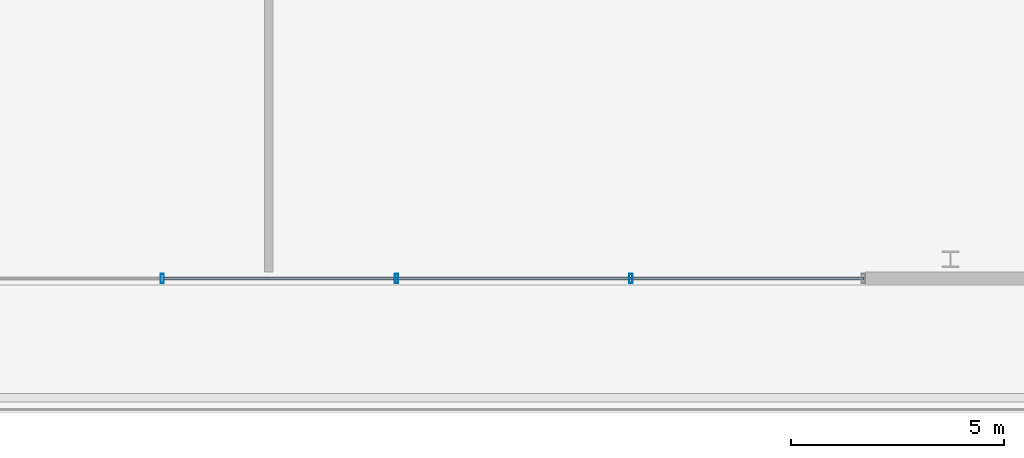
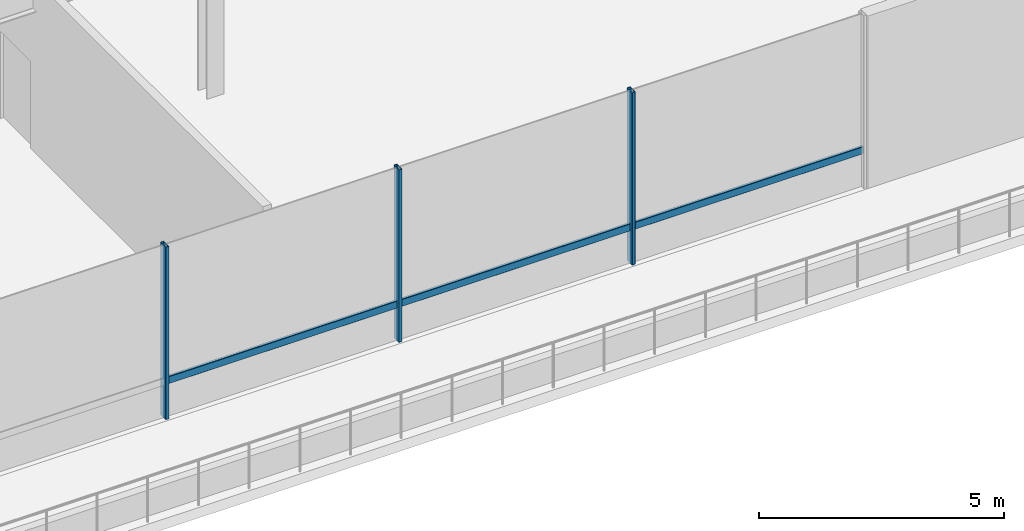
# One storey, part 10 of 45: 6 members, 1 element without a shape of its own.
"""IFC4 building model written with IfcOpenShell, lengths in metres."""

from ifc_helpers import new_model, si_unit, direction, frame, origin, origin_2d, place, context, subcontext, project, spatial, hollow_rectangle, extrude, material, layer, layer_set, material_profile, profile_set, type_object, element, aggregate, save


model = new_model("IFC4")

# Units and contexts
model_context = context("Model", 3, precision=1e-05, world=origin(), true_north=direction((0.0, 1.0)))
body_context = subcontext(model_context, "Body", "Model", "MODEL_VIEW")
ifc_project = project(units=[si_unit("LENGTHUNIT", "METRE"), si_unit("AREAUNIT", "SQUARE_METRE"), si_unit("VOLUMEUNIT", "CUBIC_METRE"), si_unit("PLANEANGLEUNIT", "RADIAN"), si_unit("MASSUNIT", "GRAM", prefix="KILO")], contexts=[model_context])

# Site, building, storey
site_placement = place(None, origin())
site = spatial("IfcSite", under=ifc_project, at=site_placement, CompositionType="ELEMENT")
building_placement = place(site_placement, origin())
building = spatial("IfcBuilding", under=site, at=building_placement, Name="Korimba Cascade Residences", CompositionType="ELEMENT")
storey_placement = place(building_placement, frame((0.0, 0.0, 5.39990234375)))
storey = spatial("IfcBuildingStorey", under=building, at=storey_placement, Name="L01", CompositionType="ELEMENT", Elevation=5.39990234375)

# Curtain wall, members
ifc_material_1 = material(Name="Anodised Aluminium Curtain Wall Framing", Category="aluminium")
ifc_layer = layer(ifc_material_1, 0.179931640625)
ifc_layer_set = layer_set([ifc_layer], Name="Anodised Aluminium Curtain Wall Framing")
curtain_wall_type = type_object("IfcCurtainWallType", Name="CW-POD-SYS1", PredefinedType="NOTDEFINED", material=ifc_layer_set)
curtain_wall_placement = place(storey_placement, origin())
curtain_wall = element("IfcCurtainWall", 1, at=curtain_wall_placement, inside=storey, type_object=curtain_wall_type, Name="L01 Curtain Wall CW-L01-POD-S", PredefinedType="NOTDEFINED")
ifc_material_2 = material(Name="Anodised Aluminium Mullion", Category="aluminium")
ifc_material_profile_1 = material_profile(ifc_material_2, hollow_rectangle(XDim=0.080078125, YDim=0.219970703125, WallThickness=0.00634765625, InnerFilletRadius=0.00634765625, OuterFilletRadius=0.0126953125, at=origin_2d()), Name="Anodised Aluminium Mullion")
ifc_profile_set_1 = profile_set([ifc_material_profile_1], Name="Anodised Aluminium Mullion")
member_type_1 = type_object("IfcMemberType", Name="CWM-MUL-220", PredefinedType="MULLION", material=ifc_profile_set_1)
member_1_placement = place(storey_placement, frame((93.5, -23.35009765625, 0.0), z_axis=(0.0, 0.0, 1.0), x_axis=(1.0, 0.0, 0.0)))
member_1 = element("IfcMember", 2, at=member_1_placement, type_object=member_type_1, Name="CW-L01-POD-S Mullion 2", PredefinedType="MULLION", context=body_context, shape_type="SweptSolid", body=[
    extrude(hollow_rectangle(XDim=0.080078125, YDim=0.219970703125, WallThickness=0.00634765625, InnerFilletRadius=0.00634765625, OuterFilletRadius=0.0126953125, at=origin_2d()), origin(), (0.0, 0.0, 1.0), 4.300048828125),
])
member_2_placement = place(storey_placement, frame((99.0, -23.35009765625, 0.0), z_axis=(0.0, 0.0, 1.0), x_axis=(1.0, 0.0, 0.0)))
member_2 = element("IfcMember", 3, at=member_2_placement, type_object=member_type_1, Name="CW-L01-POD-S Mullion 3", PredefinedType="MULLION", context=body_context, shape_type="SweptSolid", body=[
    extrude(hollow_rectangle(XDim=0.080078125, YDim=0.219970703125, WallThickness=0.00634765625, InnerFilletRadius=0.00634765625, OuterFilletRadius=0.0126953125, at=origin_2d()), origin(), (0.0, 0.0, 1.0), 4.300048828125),
])
member_3_placement = place(storey_placement, frame((104.5, -23.35009765625, 0.0), z_axis=(0.0, 0.0, 1.0), x_axis=(1.0, 0.0, 0.0)))
member_3 = element("IfcMember", 4, at=member_3_placement, type_object=member_type_1, Name="CW-L01-POD-S Mullion 4", PredefinedType="MULLION", context=body_context, shape_type="SweptSolid", body=[
    extrude(hollow_rectangle(XDim=0.080078125, YDim=0.219970703125, WallThickness=0.00634765625, InnerFilletRadius=0.00634765625, OuterFilletRadius=0.0126953125, at=origin_2d()), origin(), (0.0, 0.0, 1.0), 4.300048828125),
])
ifc_material_3 = material(Name="Anodised Aluminium Transom", Category="aluminium")
ifc_material_profile_2 = material_profile(ifc_material_3, hollow_rectangle(XDim=0.070068359375, YDim=0.179931640625, WallThickness=0.0048828125, InnerFilletRadius=0.0048828125, OuterFilletRadius=0.010009765625, at=origin_2d()), Name="Anodised Aluminium Transom")
ifc_profile_set_2 = profile_set([ifc_material_profile_2], Name="Anodised Aluminium Transom")
member_type_2 = type_object("IfcMemberType", Name="CWM-TRN-150", PredefinedType="USERDEFINED", material=ifc_profile_set_2)
member_4_placement = place(storey_placement, frame((93.5, -23.35009765625, 0.900146484375), z_axis=(1.0, 0.0, 0.0), x_axis=(0.0, 1.0, 0.0)))
member_4 = element("IfcMember", 5, at=member_4_placement, type_object=member_type_2, Name="CW-L01-POD-S Transom 2", ObjectType="TRANSOM", PredefinedType="USERDEFINED", context=body_context, shape_type="SweptSolid", body=[
    extrude(hollow_rectangle(XDim=0.070068359375, YDim=0.179931640625, WallThickness=0.0048828125, InnerFilletRadius=0.0048828125, OuterFilletRadius=0.010009765625, at=origin_2d()), origin(), (0.0, 0.0, 1.0), 5.5),
])
member_5_placement = place(storey_placement, frame((99.0, -23.35009765625, 0.900146484375), z_axis=(1.0, 0.0, 0.0), x_axis=(0.0, 1.0, 0.0)))
member_5 = element("IfcMember", 6, at=member_5_placement, type_object=member_type_2, Name="CW-L01-POD-S Transom 3", ObjectType="TRANSOM", PredefinedType="USERDEFINED", context=body_context, shape_type="SweptSolid", body=[
    extrude(hollow_rectangle(XDim=0.070068359375, YDim=0.179931640625, WallThickness=0.0048828125, InnerFilletRadius=0.0048828125, OuterFilletRadius=0.010009765625, at=origin_2d()), origin(), (0.0, 0.0, 1.0), 5.5),
])
member_6_placement = place(storey_placement, frame((104.5, -23.35009765625, 0.900146484375), z_axis=(1.0, 0.0, 0.0), x_axis=(0.0, 1.0, 0.0)))
member_6 = element("IfcMember", 7, at=member_6_placement, type_object=member_type_2, Name="CW-L01-POD-S Transom 4", ObjectType="TRANSOM", PredefinedType="USERDEFINED", context=body_context, shape_type="SweptSolid", body=[
    extrude(hollow_rectangle(XDim=0.070068359375, YDim=0.179931640625, WallThickness=0.0048828125, InnerFilletRadius=0.0048828125, OuterFilletRadius=0.010009765625, at=origin_2d()), origin(), (0.0, 0.0, 1.0), 5.4599609375),
])
aggregate(curtain_wall, [member_1, member_2, member_3, member_4, member_5, member_6])

save(model, "model.ifc")
